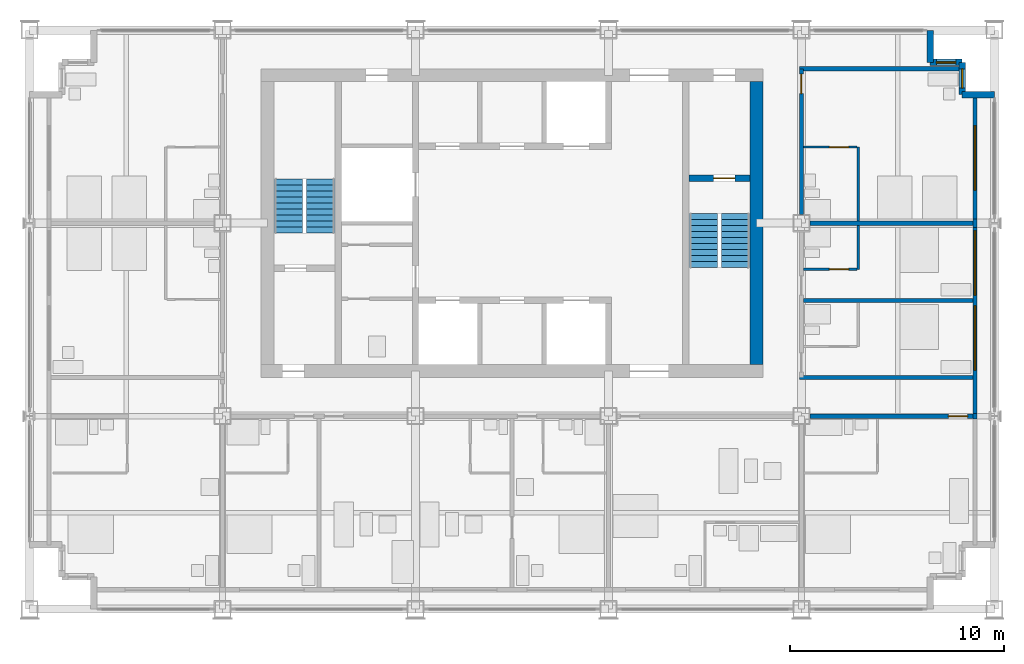
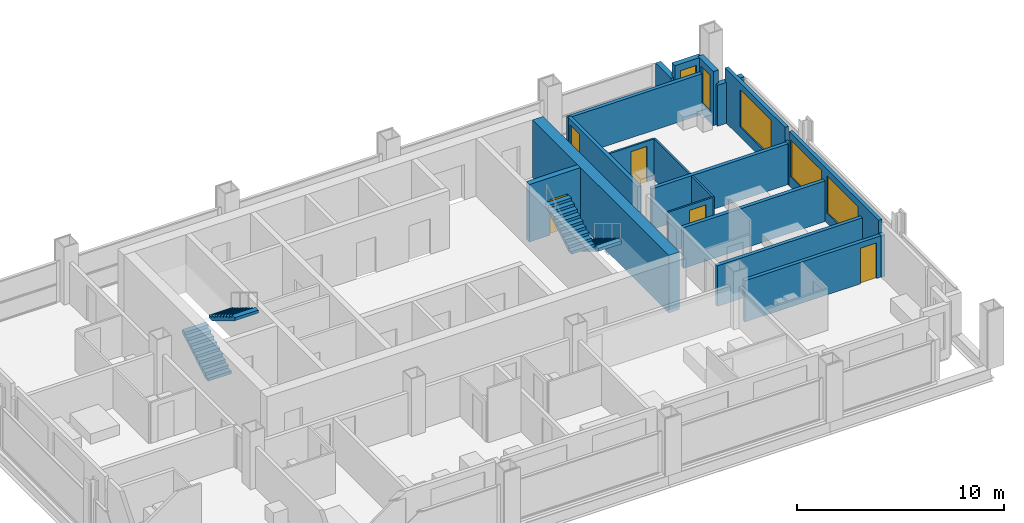
# One storey, part 10 of 13: 20 walls, 5 doors, 5 windows, 4 stair flights, 10 openings, 2 elements without a shape of their own.
"""IFC4 building model written with IfcOpenShell, lengths in metres."""

from ifc_helpers import new_model, si_unit, direction, frame, frame_2d, origin, place, context, subcontext, project, spatial, polyline, rectangle, outline, extrude, material, layer, layer_set, type_object, element, fill, aggregate, save


model = new_model("IFC4")

# Units and contexts
model_context = context("Model", 3, precision=1e-05, world=origin(), true_north=direction((0.0, 1.0)))
body_context = subcontext(model_context, "Body", "Model", "MODEL_VIEW")
ifc_project = project(units=[si_unit("LENGTHUNIT", "METRE"), si_unit("AREAUNIT", "SQUARE_METRE"), si_unit("VOLUMEUNIT", "CUBIC_METRE"), si_unit("PLANEANGLEUNIT", "RADIAN"), si_unit("MASSUNIT", "GRAM", prefix="KILO")], contexts=[model_context])

# Site, building, storey
site_placement = place(None, origin())
site = spatial("IfcSite", under=ifc_project, at=site_placement, CompositionType="ELEMENT")
building_placement = place(site_placement, origin())
building = spatial("IfcBuilding", under=site, at=building_placement, Name="Loomwork Tower", CompositionType="ELEMENT")
storey_placement = place(building_placement, frame((0.0, 0.0, 194.39990234375)))
storey = spatial("IfcBuildingStorey", under=building, at=storey_placement, Name="L53", CompositionType="ELEMENT", Elevation=194.39990234375)

# Wall, opening, door
ifc_material_1 = material(Name="Concrete 14000 psi (97 MPa)", Category="concrete")
ifc_layer_1 = layer(ifc_material_1, 0.300048828125)
ifc_layer_set_1 = layer_set([ifc_layer_1], Name="Core shear wall 300")
wall_type_1 = type_object("IfcWallType", Name="Core shear wall 300", PredefinedType="SHEAR", material=ifc_layer_set_1)
wall_1_placement = place(storey_placement, frame((30.75, 20.10009765625, 0.0), z_axis=(0.0, 0.0, 1.0), x_axis=(1.0, 0.0, 0.0)))
wall_1 = element("IfcWall", 1, at=wall_1_placement, inside=storey, type_object=wall_type_1, Name="Stair B north wall L53", PredefinedType="SHEAR", context=body_context, shape_type="SweptSolid", body=[
    extrude(rectangle(XDim=2.85009765625, YDim=0.300048828125, at=frame_2d((1.425048828125, 0.0))), origin(), (0.0, 0.0, 1.0), 3.400146484375),
])
opening_1_placement = place(wall_1_placement, frame((1.14990234375, 0.0, 0.0)))
opening_1 = element("IfcOpeningElement", 2, at=opening_1_placement, cuts=wall_1, Name="Opening D4", PredefinedType="OPENING", context=body_context, shape_type="SweptSolid", body=[
    extrude(rectangle(XDim=1.0, YDim=2.10009765625, at=frame_2d((0.5, 1.050048828125))), frame((0.0, 0.159912109375, 0.0), z_axis=(0.0, -1.0, 0.0), x_axis=(1.0, 0.0, 0.0)), (0.0, 0.0, 1.0), 0.320068359375),
])
ifc_material_2 = material(Name="Hollow metal door and frame")
door_type_1 = type_object("IfcDoorType", Name="Stair door 1000", OperationType="SINGLE_SWING_RIGHT", PredefinedType="DOOR", material=ifc_material_2)
door_1_placement = place(opening_1_placement, frame((1.0, 0.0, 0.0), z_axis=(0.0, 0.0, 1.0), x_axis=(-1.0, 0.0, 0.0)))
door_1 = element("IfcDoor", 3, at=door_1_placement, inside=storey, type_object=door_type_1, Name="Stair B door", OperationType="SINGLE_SWING_LEFT", OverallHeight=2.10009765625, OverallWidth=1.0, PredefinedType="DOOR", context=body_context, shape_type="SweptSolid", body=[
    extrude(rectangle(XDim=1.0, YDim=2.10009765625, at=frame_2d((0.5, 1.050048828125))), frame((0.0, 0.02490234375, 0.0), z_axis=(0.0, -1.0, 0.0), x_axis=(1.0, 0.0, 0.0)), (0.0, 0.0, 1.0), 0.050048828125),
])
fill(opening_1, door_1)

# Wall
ifc_material_3 = material(Name="Concrete 14000 psi (97 MPa)", Category="concrete")
ifc_layer_2 = layer(ifc_material_3, 0.60009765625)
ifc_layer_set_2 = layer_set([ifc_layer_2], Name="Core shear wall 600")
wall_type_2 = type_object("IfcWallType", Name="Core shear wall 600", PredefinedType="SHEAR", material=ifc_layer_set_2)
wall_2_placement = place(storey_placement, frame((33.89990234375, 11.39990234375, 0.0), z_axis=(0.0, 0.0, 1.0), x_axis=(0.0, 1.0, 0.0)))
element("IfcWall", 4, at=wall_2_placement, inside=storey, type_object=wall_type_2, Name="Core wall east L53", PredefinedType="SHEAR", context=body_context, shape_type="SweptSolid", body=[
    extrude(rectangle(XDim=13.2001953125, YDim=0.60009765625, at=frame_2d((6.60009765625, 0.0))), origin(), (0.0, 0.0, 1.0), 3.400146484375),
])

# Wall, opening, door
ifc_material_4 = material(Name="Gypsum board on steel studs, one-hour", Category="steel")
ifc_layer_3 = layer(ifc_material_4, 0.199951171875)
ifc_layer_set_3 = layer_set([ifc_layer_3], Name="Corridor wall 200")
wall_type_3 = type_object("IfcWallType", Name="Corridor wall 200", PredefinedType="PARTITIONING", material=ifc_layer_set_3)
wall_3_placement = place(storey_placement, frame((36.39990234375, 9.0, 0.0), z_axis=(0.0, 0.0, 1.0), x_axis=(1.0, 0.0, 0.0)))
wall_3 = element("IfcWall", 5, at=wall_3_placement, inside=storey, type_object=wall_type_3, Name="South corridor wall 5", PredefinedType="PARTITIONING", context=body_context, shape_type="SweptSolid", body=[
    extrude(rectangle(XDim=7.60009765625, YDim=0.199951171875, at=frame_2d((3.800048828125, 0.0))), origin(), (0.0, 0.0, 1.0), 2.43798828125),
])
opening_2_placement = place(wall_3_placement, frame((6.449951171875, 0.0, 0.0)))
opening_2 = element("IfcOpeningElement", 6, at=opening_2_placement, cuts=wall_3, Name="Opening D1", PredefinedType="OPENING", context=body_context, shape_type="SweptSolid", body=[
    extrude(rectangle(XDim=0.89990234375, YDim=2.10009765625, at=frame_2d((0.449951171875, 1.050048828125))), frame((0.0, 0.10986328125, 0.0), z_axis=(0.0, -1.0, 0.0), x_axis=(1.0, 0.0, 0.0)), (0.0, 0.0, 1.0), 0.219970703125),
])
ifc_material_5 = material(Name="Hollow metal door and frame")
door_type_2 = type_object("IfcDoorType", Name="Guest room entry door 900", OperationType="SINGLE_SWING_LEFT", PredefinedType="DOOR", material=ifc_material_5)
door_2_placement = place(opening_2_placement, frame((0.89990234375, 0.0, 0.0), z_axis=(0.0, 0.0, 1.0), x_axis=(-1.0, 0.0, 0.0)))
door_2 = element("IfcDoor", 7, at=door_2_placement, inside=storey, type_object=door_type_2, Name="Guest room entry door L53 6", OperationType="SINGLE_SWING_LEFT", OverallHeight=2.10009765625, OverallWidth=0.89990234375, PredefinedType="DOOR", context=body_context, shape_type="SweptSolid", body=[
    extrude(rectangle(XDim=0.89990234375, YDim=2.10009765625, at=frame_2d((0.449951171875, 1.050048828125))), frame((0.0, 0.02490234375, 0.0), z_axis=(0.0, -1.0, 0.0), x_axis=(1.0, 0.0, 0.0)), (0.0, 0.0, 1.0), 0.050048828125),
])
fill(opening_2, door_2)

wall_4_placement = place(storey_placement, frame((36.0, 18.39990234375, 0.0), z_axis=(0.0, 0.0, 1.0), x_axis=(0.0, 1.0, 0.0)))
wall_4 = element("IfcWall", 8, at=wall_4_placement, inside=storey, type_object=wall_type_3, Name="East corridor wall 2", PredefinedType="PARTITIONING", context=body_context, shape_type="SweptSolid", body=[
    extrude(rectangle(XDim=6.800048828125, YDim=0.199951171875, at=frame_2d((3.39990234375, 0.0))), origin(), (0.0, 0.0, 1.0), 2.405029296875),
])
opening_3_placement = place(wall_4_placement, frame((5.64990234375, 0.0, 0.0)))
opening_3 = element("IfcOpeningElement", 9, at=opening_3_placement, cuts=wall_4, Name="Opening D1", PredefinedType="OPENING", context=body_context, shape_type="SweptSolid", body=[
    extrude(rectangle(XDim=0.89990234375, YDim=2.10009765625, at=frame_2d((0.449951171875, 1.050048828125))), frame((0.0, 0.10986328125, 0.0), z_axis=(0.0, -1.0, 0.0), x_axis=(1.0, 0.0, 0.0)), (0.0, 0.0, 1.0), 0.219970703125),
])
door_3_placement = place(opening_3_placement, frame((0.89990234375, 0.0, 0.0), z_axis=(0.0, 0.0, 1.0), x_axis=(-1.0, 0.0, 0.0)))
door_3 = element("IfcDoor", 10, at=door_3_placement, inside=storey, type_object=door_type_2, Name="Guest room entry door L53 11", OperationType="SINGLE_SWING_LEFT", OverallHeight=2.10009765625, OverallWidth=0.89990234375, PredefinedType="DOOR", context=body_context, shape_type="SweptSolid", body=[
    extrude(rectangle(XDim=0.89990234375, YDim=2.10009765625, at=frame_2d((0.449951171875, 1.050048828125))), frame((0.0, 0.02490234375, 0.0), z_axis=(0.0, -1.0, 0.0), x_axis=(1.0, 0.0, 0.0)), (0.0, 0.0, 1.0), 0.050048828125),
])
fill(opening_3, door_3)

# Walls
wall_5_placement = place(storey_placement, frame((35.89990234375, 10.800048828125, 0.0), z_axis=(0.0, 0.0, 1.0), x_axis=(1.0, 0.0, 0.0)))
element("IfcWall", 11, at=wall_5_placement, inside=storey, type_object=wall_type_3, Name="East band end wall S", PredefinedType="PARTITIONING", context=body_context, shape_type="SweptSolid", body=[
    extrude(rectangle(XDim=8.10009765625, YDim=0.199951171875, at=frame_2d((4.050048828125, 0.0))), origin(), (0.0, 0.0, 1.0), 2.404052734375),
])
wall_6_placement = place(storey_placement, frame((35.89990234375, 25.199951171875, 0.0), z_axis=(0.0, 0.0, 1.0), x_axis=(1.0, 0.0, 0.0)))
element("IfcWall", 12, at=wall_6_placement, inside=storey, type_object=wall_type_3, Name="East band end wall N", PredefinedType="PARTITIONING", context=body_context, shape_type="SweptSolid", body=[
    extrude(rectangle(XDim=7.4501953125, YDim=0.199951171875, at=frame_2d((3.72509765625, 0.0))), origin(), (0.0, 0.0, 1.0), 2.404052734375),
])
ifc_material_6 = material(Name="Cement board on steel studs", Category="steel")
ifc_layer_4 = layer(ifc_material_6, 0.10009765625)
ifc_layer_set_4 = layer_set([ifc_layer_4], Name="En-suite partition 100")
wall_type_4 = type_object("IfcWallType", Name="En-suite partition 100", PredefinedType="PARTITIONING", material=ifc_layer_set_4)
wall_7_placement = place(storey_placement, frame((38.64990234375, 15.85009765625, 0.0), z_axis=(0.0, 0.0, 1.0), x_axis=(0.0, 1.0, 0.0)))
element("IfcWall", 13, at=wall_7_placement, inside=storey, type_object=wall_type_4, Name="En-suite wall L53 room 10", PredefinedType="PARTITIONING", context=body_context, shape_type="SweptSolid", body=[
    extrude(rectangle(XDim=2.0498046875, YDim=0.10009765625, at=frame_2d((1.02490234375, 0.0))), origin(), (0.0, 0.0, 1.0), 2.404052734375),
])

# Wall, opening, door
wall_8_placement = place(storey_placement, frame((36.10009765625, 15.85009765625, 0.0), z_axis=(0.0, 0.0, 1.0), x_axis=(1.0, 0.0, 0.0)))
wall_8 = element("IfcWall", 14, at=wall_8_placement, inside=storey, type_object=wall_type_4, Name="En-suite side wall L53 room 10", PredefinedType="PARTITIONING", context=body_context, shape_type="SweptSolid", body=[
    extrude(rectangle(XDim=2.5, YDim=0.10009765625, at=frame_2d((1.25, 0.0))), origin(), (0.0, 0.0, 1.0), 2.404052734375),
])
opening_4_placement = place(wall_8_placement, frame((1.199951171875, 0.0, 0.0)))
opening_4 = element("IfcOpeningElement", 15, at=opening_4_placement, cuts=wall_8, Name="Opening D2", PredefinedType="OPENING", context=body_context, shape_type="SweptSolid", body=[
    extrude(rectangle(XDim=0.89990234375, YDim=2.10009765625, at=frame_2d((0.449951171875, 1.050048828125))), frame((0.0, 0.06005859375, 0.0), z_axis=(0.0, -1.0, 0.0), x_axis=(1.0, 0.0, 0.0)), (0.0, 0.0, 1.0), 0.1201171875),
])
ifc_material_7 = material(Name="Hollow metal door and frame")
door_type_3 = type_object("IfcDoorType", Name="En-suite door 900", OperationType="SINGLE_SWING_LEFT", PredefinedType="DOOR", material=ifc_material_7)
door_4_placement = place(opening_4_placement, origin())
door_4 = element("IfcDoor", 16, at=door_4_placement, inside=storey, type_object=door_type_3, Name="En-suite door room 10", OperationType="SINGLE_SWING_RIGHT", OverallHeight=2.10009765625, OverallWidth=0.89990234375, PredefinedType="DOOR", context=body_context, shape_type="SweptSolid", body=[
    extrude(rectangle(XDim=0.89990234375, YDim=2.10009765625, at=frame_2d((0.449951171875, 1.050048828125))), frame((0.0, 0.02490234375, 0.0), z_axis=(0.0, -1.0, 0.0), x_axis=(1.0, 0.0, 0.0)), (0.0, 0.0, 1.0), 0.050048828125),
])
fill(opening_4, door_4)

# Wall
wall_9_placement = place(storey_placement, frame((38.64990234375, 18.10009765625, 0.0), z_axis=(0.0, 0.0, 1.0), x_axis=(0.0, 1.0, 0.0)))
element("IfcWall", 17, at=wall_9_placement, inside=storey, type_object=wall_type_4, Name="En-suite wall L53 room 11", PredefinedType="PARTITIONING", context=body_context, shape_type="SweptSolid", body=[
    extrude(rectangle(XDim=3.449951171875, YDim=0.10009765625, at=frame_2d((1.72509765625, 0.0))), origin(), (0.0, 0.0, 1.0), 2.404052734375),
])

# Wall, opening, door
wall_10_placement = place(storey_placement, frame((36.10009765625, 21.550048828125, 0.0), z_axis=(0.0, 0.0, 1.0), x_axis=(1.0, 0.0, 0.0)))
wall_10 = element("IfcWall", 18, at=wall_10_placement, inside=storey, type_object=wall_type_4, Name="En-suite side wall L53 room 11", PredefinedType="PARTITIONING", context=body_context, shape_type="SweptSolid", body=[
    extrude(rectangle(XDim=2.5, YDim=0.10009765625, at=frame_2d((1.25, 0.0))), origin(), (0.0, 0.0, 1.0), 2.404052734375),
])
opening_5_placement = place(wall_10_placement, frame((1.199951171875, 0.0, 0.0)))
opening_5 = element("IfcOpeningElement", 19, at=opening_5_placement, cuts=wall_10, Name="Opening D2", PredefinedType="OPENING", context=body_context, shape_type="SweptSolid", body=[
    extrude(rectangle(XDim=0.89990234375, YDim=2.10009765625, at=frame_2d((0.449951171875, 1.050048828125))), frame((0.0, 0.06005859375, 0.0), z_axis=(0.0, -1.0, 0.0), x_axis=(1.0, 0.0, 0.0)), (0.0, 0.0, 1.0), 0.1201171875),
])
door_5_placement = place(opening_5_placement, frame((0.89990234375, 0.0, 0.0), z_axis=(0.0, 0.0, 1.0), x_axis=(-1.0, 0.0, 0.0)))
door_5 = element("IfcDoor", 20, at=door_5_placement, inside=storey, type_object=door_type_3, Name="En-suite door room 11", OperationType="SINGLE_SWING_LEFT", OverallHeight=2.10009765625, OverallWidth=0.89990234375, PredefinedType="DOOR", context=body_context, shape_type="SweptSolid", body=[
    extrude(rectangle(XDim=0.89990234375, YDim=2.10009765625, at=frame_2d((0.449951171875, 1.050048828125))), frame((0.0, 0.02490234375, 0.0), z_axis=(0.0, -1.0, 0.0), x_axis=(1.0, 0.0, 0.0)), (0.0, 0.0, 1.0), 0.050048828125),
])
fill(opening_5, door_5)

# Walls
ifc_material_8 = material(Name="Gypsum board on steel studs, acoustic", Category="steel")
ifc_layer_5 = layer(ifc_material_8, 0.199951171875)
ifc_layer_set_5 = layer_set([ifc_layer_5], Name="Guest room party wall 200")
wall_type_5 = type_object("IfcWallType", Name="Guest room party wall 200", PredefinedType="PARTITIONING", material=ifc_layer_set_5)
wall_11_placement = place(storey_placement, frame((36.10009765625, 14.39990234375, 0.0), z_axis=(0.0, 0.0, 1.0), x_axis=(1.0, 0.0, 0.0)))
element("IfcWall", 21, at=wall_11_placement, inside=storey, type_object=wall_type_5, Name="Guest room party wall E 14.4", PredefinedType="PARTITIONING", context=body_context, shape_type="SweptSolid", body=[
    extrude(rectangle(XDim=7.89990234375, YDim=0.199951171875, at=frame_2d((3.949951171875, 0.0))), origin(), (0.0, 0.0, 1.0), 2.404052734375),
])
wall_12_placement = place(storey_placement, frame((36.39990234375, 18.0, 0.0), z_axis=(0.0, 0.0, 1.0), x_axis=(1.0, 0.0, 0.0)))
element("IfcWall", 22, at=wall_12_placement, inside=storey, type_object=wall_type_5, Name="Guest room party wall E 18", PredefinedType="PARTITIONING", context=body_context, shape_type="SweptSolid", body=[
    extrude(rectangle(XDim=7.60009765625, YDim=0.199951171875, at=frame_2d((3.800048828125, 0.0))), origin(), (0.0, 0.0, 1.0), 2.405029296875),
])
ifc_material_9 = material(Name="Insulated steel stud wall with gypsum lining", Category="steel")
ifc_layer_6 = layer(ifc_material_9, 0.199951171875)
ifc_layer_set_6 = layer_set([ifc_layer_6], Name="Inner skin wall 200")
wall_type_6 = type_object("IfcWallType", Name="Inner skin wall 200", PredefinedType="SOLIDWALL", material=ifc_layer_set_6)
wall_13_placement = place(storey_placement, frame((44.10009765625, 8.86474609375, 0.0), z_axis=(0.0, 0.0, 1.0), x_axis=(0.0, 1.0, 0.0)))
element("IfcWall", 23, at=wall_13_placement, inside=storey, type_object=wall_type_6, Name="Inner skin wall E bay 4", PredefinedType="SOLIDWALL", context=body_context, shape_type="SweptSolid", body=[
    extrude(rectangle(XDim=0.2705078125, YDim=0.199951171875, at=frame_2d((0.13525390625, 0.0))), origin(), (0.0, 0.0, 1.0), 2.43798828125),
])

# Wall, openings, windows
wall_14_placement = place(storey_placement, frame((44.10009765625, 9.13525390625, 0.0), z_axis=(0.0, 0.0, 1.0), x_axis=(0.0, 1.0, 0.0)))
wall_14 = element("IfcWall", 24, at=wall_14_placement, inside=storey, type_object=wall_type_6, Name="Inner skin wall E bay 5", PredefinedType="SOLIDWALL", context=body_context, shape_type="SweptSolid", body=[
    extrude(rectangle(XDim=8.6708984375, YDim=0.199951171875, at=frame_2d((4.33544921875, 0.0))), origin(), (0.0, 0.0, 1.0), 3.2001953125),
])
opening_6_placement = place(wall_14_placement, frame((2.0146484375, 0.0, 0.60009765625)))
opening_6 = element("IfcOpeningElement", 25, at=opening_6_placement, cuts=wall_14, Name="Opening CH1", PredefinedType="OPENING", context=body_context, shape_type="SweptSolid", body=[
    extrude(rectangle(XDim=3.0, YDim=2.199951171875, at=frame_2d((1.5, 1.10009765625))), frame((0.0, 0.10986328125, 0.0), z_axis=(0.0, -1.0, 0.0), x_axis=(1.0, 0.0, 0.0)), (0.0, 0.0, 1.0), 0.219970703125),
])
opening_7_placement = place(wall_14_placement, frame((5.5146484375, 0.0, 0.60009765625)))
opening_7 = element("IfcOpeningElement", 26, at=opening_7_placement, cuts=wall_14, Name="Opening CH1", PredefinedType="OPENING", context=body_context, shape_type="SweptSolid", body=[
    extrude(rectangle(XDim=3.0, YDim=2.199951171875, at=frame_2d((1.5, 1.10009765625))), frame((0.0, 0.10986328125, 0.0), z_axis=(0.0, -1.0, 0.0), x_axis=(1.0, 0.0, 0.0)), (0.0, 0.0, 1.0), 0.219970703125),
])
ifc_material_10 = material(Name="Aluminium frame with clear insulated glass", Category="aluminium")
window_type_1 = type_object("IfcWindowType", Name="Chicago window 3000", PartitioningType="TRIPLE_PANEL_VERTICAL", PredefinedType="WINDOW", material=ifc_material_10)
window_1_placement = place(opening_6_placement, origin())
window_1 = element("IfcWindow", 27, at=window_1_placement, inside=storey, type_object=window_type_1, Name="Chicago window L53 bay 8", OverallHeight=2.199951171875, OverallWidth=3.0, PartitioningType="TRIPLE_PANEL_VERTICAL", PredefinedType="WINDOW", context=body_context, shape_type="SweptSolid", body=[
    extrude(rectangle(XDim=3.0, YDim=2.199951171875, at=frame_2d((1.5, 1.10009765625))), frame((0.0, 0.030029296875, 0.0), z_axis=(0.0, -1.0, 0.0), x_axis=(1.0, 0.0, 0.0)), (0.0, 0.0, 1.0), 0.06005859375),
])
fill(opening_6, window_1)
window_2_placement = place(opening_7_placement, origin())
window_2 = element("IfcWindow", 28, at=window_2_placement, inside=storey, type_object=window_type_1, Name="Chicago window L53 bay 8", OverallHeight=2.199951171875, OverallWidth=3.0, PartitioningType="TRIPLE_PANEL_VERTICAL", PredefinedType="WINDOW", context=body_context, shape_type="SweptSolid", body=[
    extrude(rectangle(XDim=3.0, YDim=2.199951171875, at=frame_2d((1.5, 1.10009765625))), frame((0.0, 0.030029296875, 0.0), z_axis=(0.0, -1.0, 0.0), x_axis=(1.0, 0.0, 0.0)), (0.0, 0.0, 1.0), 0.06005859375),
])
fill(opening_7, window_2)

# Wall
wall_15_placement = place(storey_placement, frame((44.10009765625, 17.80615234375, 0.0), z_axis=(0.0, 0.0, 1.0), x_axis=(0.0, 1.0, 0.0)))
element("IfcWall", 29, at=wall_15_placement, inside=storey, type_object=wall_type_6, Name="Inner skin wall E bay 6", PredefinedType="SOLIDWALL", context=body_context, shape_type="SweptSolid", body=[
    extrude(rectangle(XDim=0.3876953125, YDim=0.199951171875, at=frame_2d((0.19384765625, 0.0))), origin(), (0.0, 0.0, 1.0), 2.404052734375),
])

# Wall, opening, window
wall_16_placement = place(storey_placement, frame((44.10009765625, 18.19384765625, 0.0), z_axis=(0.0, 0.0, 1.0), x_axis=(0.0, 1.0, 0.0)))
wall_16 = element("IfcWall", 30, at=wall_16_placement, inside=storey, type_object=wall_type_6, Name="Inner skin wall E bay 7", PredefinedType="SOLIDWALL", context=body_context, shape_type="SweptSolid", body=[
    extrude(rectangle(XDim=5.80615234375, YDim=0.199951171875, at=frame_2d((2.903076171875, 0.0))), origin(), (0.0, 0.0, 1.0), 3.2001953125),
])
opening_8_placement = place(wall_16_placement, frame((1.356201171875, 0.0, 0.60009765625)))
opening_8 = element("IfcOpeningElement", 31, at=opening_8_placement, cuts=wall_16, Name="Opening CH1", PredefinedType="OPENING", context=body_context, shape_type="SweptSolid", body=[
    extrude(rectangle(XDim=3.0, YDim=2.199951171875, at=frame_2d((1.5, 1.10009765625))), frame((0.0, 0.10986328125, 0.0), z_axis=(0.0, -1.0, 0.0), x_axis=(1.0, 0.0, 0.0)), (0.0, 0.0, 1.0), 0.219970703125),
])
window_3_placement = place(opening_8_placement, origin())
window_3 = element("IfcWindow", 32, at=window_3_placement, inside=storey, type_object=window_type_1, Name="Chicago window L53 bay 9", OverallHeight=2.199951171875, OverallWidth=3.0, PartitioningType="TRIPLE_PANEL_VERTICAL", PredefinedType="WINDOW", context=body_context, shape_type="SweptSolid", body=[
    extrude(rectangle(XDim=3.0, YDim=2.199951171875, at=frame_2d((1.5, 1.10009765625))), frame((0.0, 0.030029296875, 0.0), z_axis=(0.0, -1.0, 0.0), x_axis=(1.0, 0.0, 0.0)), (0.0, 0.0, 1.0), 0.06005859375),
])
fill(opening_8, window_3)

# Wall
ifc_material_11 = material(Name="Limestone on concrete masonry", Category="masonry")
ifc_layer_7 = layer(ifc_material_11, 0.300048828125)
ifc_layer_set_7 = layer_set([ifc_layer_7], Name="Limestone corner wall 300")
wall_type_7 = type_object("IfcWallType", Name="Limestone corner wall 300", PredefinedType="SOLIDWALL", material=ifc_layer_set_7)
wall_17_placement = place(storey_placement, frame((45.0, 24.0, 0.0), z_axis=(0.0, 0.0, 1.0), x_axis=(-1.0, 0.0, 0.0)))
element("IfcWall", 33, at=wall_17_placement, inside=storey, type_object=wall_type_7, Name="Stone corner wall NE 1", PredefinedType="SOLIDWALL", context=body_context, shape_type="SweptSolid", body=[
    extrude(rectangle(XDim=1.5, YDim=0.300048828125, at=frame_2d((0.75, 0.0))), origin(), (0.0, 0.0, 1.0), 2.420166015625),
])

# Wall, opening, window
wall_18_placement = place(storey_placement, frame((43.5, 24.0, 0.0), z_axis=(0.0, 0.0, 1.0), x_axis=(0.0, 1.0, 0.0)))
wall_18 = element("IfcWall", 34, at=wall_18_placement, inside=storey, type_object=wall_type_7, Name="Stone corner wall NE 2", PredefinedType="SOLIDWALL", context=body_context, shape_type="SweptSolid", body=[
    extrude(rectangle(XDim=1.5, YDim=0.300048828125, at=frame_2d((0.75, 0.0))), origin(), (0.0, 0.0, 1.0), 3.2001953125),
])
opening_9_placement = place(wall_18_placement, frame((0.300048828125, 0.0, 0.60009765625)))
opening_9 = element("IfcOpeningElement", 35, at=opening_9_placement, cuts=wall_18, Name="Opening CH2", PredefinedType="OPENING", context=body_context, shape_type="SweptSolid", body=[
    extrude(rectangle(XDim=0.89990234375, YDim=2.199951171875, at=frame_2d((0.449951171875, 1.10009765625))), frame((0.0, 0.159912109375, 0.0), z_axis=(0.0, -1.0, 0.0), x_axis=(1.0, 0.0, 0.0)), (0.0, 0.0, 1.0), 0.320068359375),
])
ifc_material_12 = material(Name="Aluminium frame with clear insulated glass", Category="aluminium")
window_type_2 = type_object("IfcWindowType", Name="Corner window 900", PartitioningType="SINGLE_PANEL", PredefinedType="WINDOW", material=ifc_material_12)
window_4_placement = place(opening_9_placement, origin())
window_4 = element("IfcWindow", 36, at=window_4_placement, inside=storey, type_object=window_type_2, Name="Corner window NE", OverallHeight=2.199951171875, OverallWidth=0.89990234375, PartitioningType="SINGLE_PANEL", PredefinedType="WINDOW", context=body_context, shape_type="SweptSolid", body=[
    extrude(rectangle(XDim=0.89990234375, YDim=2.199951171875, at=frame_2d((0.449951171875, 1.10009765625))), frame((0.0, 0.030029296875, 0.0), z_axis=(0.0, -1.0, 0.0), x_axis=(1.0, 0.0, 0.0)), (0.0, 0.0, 1.0), 0.06005859375),
])
fill(opening_9, window_4)

wall_19_placement = place(storey_placement, frame((43.5, 25.5, 0.0), z_axis=(0.0, 0.0, 1.0), x_axis=(-1.0, 0.0, 0.0)))
wall_19 = element("IfcWall", 37, at=wall_19_placement, inside=storey, type_object=wall_type_7, Name="Stone corner wall NE 3", PredefinedType="SOLIDWALL", context=body_context, shape_type="SweptSolid", body=[
    extrude(rectangle(XDim=1.5, YDim=0.300048828125, at=frame_2d((0.75, 0.0))), origin(), (0.0, 0.0, 1.0), 3.2001953125),
])
opening_10_placement = place(wall_19_placement, frame((0.300048828125, 0.0, 0.60009765625)))
opening_10 = element("IfcOpeningElement", 38, at=opening_10_placement, cuts=wall_19, Name="Opening CH2", PredefinedType="OPENING", context=body_context, shape_type="SweptSolid", body=[
    extrude(rectangle(XDim=0.89990234375, YDim=2.199951171875, at=frame_2d((0.449951171875, 1.10009765625))), frame((0.0, 0.159912109375, 0.0), z_axis=(0.0, -1.0, 0.0), x_axis=(1.0, 0.0, 0.0)), (0.0, 0.0, 1.0), 0.320068359375),
])
window_5_placement = place(opening_10_placement, origin())
window_5 = element("IfcWindow", 39, at=window_5_placement, inside=storey, type_object=window_type_2, Name="Corner window NE", OverallHeight=2.199951171875, OverallWidth=0.89990234375, PartitioningType="SINGLE_PANEL", PredefinedType="WINDOW", context=body_context, shape_type="SweptSolid", body=[
    extrude(rectangle(XDim=0.89990234375, YDim=2.199951171875, at=frame_2d((0.449951171875, 1.10009765625))), frame((0.0, 0.030029296875, 0.0), z_axis=(0.0, -1.0, 0.0), x_axis=(1.0, 0.0, 0.0)), (0.0, 0.0, 1.0), 0.06005859375),
])
fill(opening_10, window_5)

# Wall
wall_20_placement = place(storey_placement, frame((42.0, 25.5, 0.0), z_axis=(0.0, 0.0, 1.0), x_axis=(0.0, 1.0, 0.0)))
element("IfcWall", 40, at=wall_20_placement, inside=storey, type_object=wall_type_7, Name="Stone corner wall NE 4", PredefinedType="SOLIDWALL", context=body_context, shape_type="SweptSolid", body=[
    extrude(rectangle(XDim=1.5, YDim=0.300048828125, at=frame_2d((0.75, 0.0))), origin(), (0.0, 0.0, 1.0), 2.420166015625),
])

# Stair, stair flights
ifc_material_13 = material(Name="Concrete 5000 psi (34 MPa) precast stair", Category="concrete")
stair_type_1 = type_object("IfcStairType", Name="Stair ST-A 20 risers 2850 wide", PredefinedType="HALF_TURN_STAIR", material=ifc_material_13)
stair_1_placement = place(storey_placement, origin())
stair_1 = element("IfcStair", 41, at=stair_1_placement, inside=storey, type_object=stair_type_1, Name="Stair A L53", PredefinedType="HALF_TURN_STAIR")
ifc_material_14 = material(Name="Concrete 5000 psi (34 MPa) precast stair", Category="concrete")
stair_flight_type_1 = type_object("IfcStairFlightType", Name="Stair flight ST-A 10 risers 1300 wide", PredefinedType="STRAIGHT", material=ifc_material_14)
stair_flight_1_placement = place(storey_placement, frame((12.074951171875, 17.550048828125, 0.0), z_axis=(0.0, 0.0, 1.0), x_axis=(0.0, 1.0, 0.0)))
stair_flight_1 = element("IfcStairFlight", 42, at=stair_flight_1_placement, type_object=stair_flight_type_1, Name="ST-A flight 1", NumberOfRisers=10, NumberOfTreads=9, PredefinedType="STRAIGHT", RiserHeight=0.17, TreadLength=0.28, context=body_context, shape_type="SweptSolid", body=[
    extrude(outline(polyline([(0.0, 0.0), (0.0, 0.169921875), (0.280029296875, 0.169921875), (0.280029296875, 0.340087890625), (0.56005859375, 0.340087890625), (0.56005859375, 0.510009765625), (0.840087890625, 0.510009765625), (0.840087890625, 0.679931640625), (1.1201171875, 0.679931640625), (1.1201171875, 0.85009765625), (1.39990234375, 0.85009765625), (1.39990234375, 1.02001953125), (1.679931640625, 1.02001953125), (1.679931640625, 1.18994140625), (1.9599609375, 1.18994140625), (1.9599609375, 1.360107421875), (2.239990234375, 1.360107421875), (2.239990234375, 1.530029296875), (2.52001953125, 1.530029296875), (2.52001953125, 1.699951171875), (2.52001953125, 1.354736328125), (0.288818359375, 0.0), (0.0, 0.0)])), frame((0.0, 0.64990234375, 0.0), z_axis=(0.0, -1.0, 0.0), x_axis=(1.0, 0.0, 0.0)), (0.0, 0.0, 1.0), 1.300048828125),
])
stair_flight_2_placement = place(storey_placement, frame((13.574951171875, 20.070068359375, 1.7001953125), z_axis=(0.0, 0.0, 1.0), x_axis=(0.0, -1.0, 0.0)))
stair_flight_2 = element("IfcStairFlight", 43, at=stair_flight_2_placement, type_object=stair_flight_type_1, Name="ST-A flight 2", NumberOfRisers=10, NumberOfTreads=9, PredefinedType="STRAIGHT", RiserHeight=0.17, TreadLength=0.28, context=body_context, shape_type="SweptSolid", body=[
    extrude(outline(polyline([(0.0, 0.0), (0.0, 0.169921875), (0.280029296875, 0.169921875), (0.280029296875, 0.340087890625), (0.56005859375, 0.340087890625), (0.56005859375, 0.510009765625), (0.840087890625, 0.510009765625), (0.840087890625, 0.679931640625), (1.1201171875, 0.679931640625), (1.1201171875, 0.85009765625), (1.39990234375, 0.85009765625), (1.39990234375, 1.02001953125), (1.679931640625, 1.02001953125), (1.679931640625, 1.18994140625), (1.9599609375, 1.18994140625), (1.9599609375, 1.360107421875), (2.239990234375, 1.360107421875), (2.239990234375, 1.530029296875), (2.52001953125, 1.530029296875), (2.52001953125, 1.699951171875), (2.52001953125, 1.354736328125), (0.288818359375, 0.0), (0.0, 0.0)])), frame((0.0, 0.64990234375, 0.0), z_axis=(0.0, -1.0, 0.0), x_axis=(1.0, 0.0, 0.0)), (0.0, 0.0, 1.0), 1.300048828125),
])
aggregate(stair_1, [stair_flight_1, stair_flight_2])

ifc_material_15 = material(Name="Concrete 5000 psi (34 MPa) precast stair", Category="concrete")
stair_type_2 = type_object("IfcStairType", Name="Stair ST-B 20 risers 2850 wide", PredefinedType="HALF_TURN_STAIR", material=ifc_material_15)
stair_2_placement = place(storey_placement, origin())
stair_2 = element("IfcStair", 44, at=stair_2_placement, inside=storey, type_object=stair_type_2, Name="Stair B L53", PredefinedType="HALF_TURN_STAIR")
ifc_material_16 = material(Name="Concrete 5000 psi (34 MPa) precast stair", Category="concrete")
stair_flight_type_2 = type_object("IfcStairFlightType", Name="Stair flight ST-B 10 risers 1300 wide", PredefinedType="STRAIGHT", material=ifc_material_16)
stair_flight_3_placement = place(storey_placement, frame((32.925048828125, 18.449951171875, 0.0), z_axis=(0.0, 0.0, 1.0), x_axis=(0.0, -1.0, 0.0)))
stair_flight_3 = element("IfcStairFlight", 45, at=stair_flight_3_placement, type_object=stair_flight_type_2, Name="ST-B flight 1", NumberOfRisers=10, NumberOfTreads=9, PredefinedType="STRAIGHT", RiserHeight=0.17, TreadLength=0.28, context=body_context, shape_type="SweptSolid", body=[
    extrude(outline(polyline([(0.0, 0.0), (0.0, 0.169921875), (0.280029296875, 0.169921875), (0.280029296875, 0.340087890625), (0.56005859375, 0.340087890625), (0.56005859375, 0.510009765625), (0.840087890625, 0.510009765625), (0.840087890625, 0.679931640625), (1.1201171875, 0.679931640625), (1.1201171875, 0.85009765625), (1.39990234375, 0.85009765625), (1.39990234375, 1.02001953125), (1.679931640625, 1.02001953125), (1.679931640625, 1.18994140625), (1.9599609375, 1.18994140625), (1.9599609375, 1.360107421875), (2.239990234375, 1.360107421875), (2.239990234375, 1.530029296875), (2.52001953125, 1.530029296875), (2.52001953125, 1.699951171875), (2.52001953125, 1.354736328125), (0.288818359375, 0.0), (0.0, 0.0)])), frame((0.0, 0.64990234375, 0.0), z_axis=(0.0, -1.0, 0.0), x_axis=(1.0, 0.0, 0.0)), (0.0, 0.0, 1.0), 1.300048828125),
])
stair_flight_4_placement = place(storey_placement, frame((31.425048828125, 15.929931640625, 1.7001953125), z_axis=(0.0, 0.0, 1.0), x_axis=(0.0, 1.0, 0.0)))
stair_flight_4 = element("IfcStairFlight", 46, at=stair_flight_4_placement, type_object=stair_flight_type_2, Name="ST-B flight 2", NumberOfRisers=10, NumberOfTreads=9, PredefinedType="STRAIGHT", RiserHeight=0.17, TreadLength=0.28, context=body_context, shape_type="SweptSolid", body=[
    extrude(outline(polyline([(0.0, 0.0), (0.0, 0.169921875), (0.280029296875, 0.169921875), (0.280029296875, 0.340087890625), (0.56005859375, 0.340087890625), (0.56005859375, 0.510009765625), (0.840087890625, 0.510009765625), (0.840087890625, 0.679931640625), (1.1201171875, 0.679931640625), (1.1201171875, 0.85009765625), (1.39990234375, 0.85009765625), (1.39990234375, 1.02001953125), (1.679931640625, 1.02001953125), (1.679931640625, 1.18994140625), (1.9599609375, 1.18994140625), (1.9599609375, 1.360107421875), (2.239990234375, 1.360107421875), (2.239990234375, 1.530029296875), (2.52001953125, 1.530029296875), (2.52001953125, 1.699951171875), (2.52001953125, 1.354736328125), (0.288818359375, 0.0), (0.0, 0.0)])), frame((0.0, 0.64990234375, 0.0), z_axis=(0.0, -1.0, 0.0), x_axis=(1.0, 0.0, 0.0)), (0.0, 0.0, 1.0), 1.300048828125),
])
aggregate(stair_2, [stair_flight_3, stair_flight_4])

save(model, "model.ifc")
